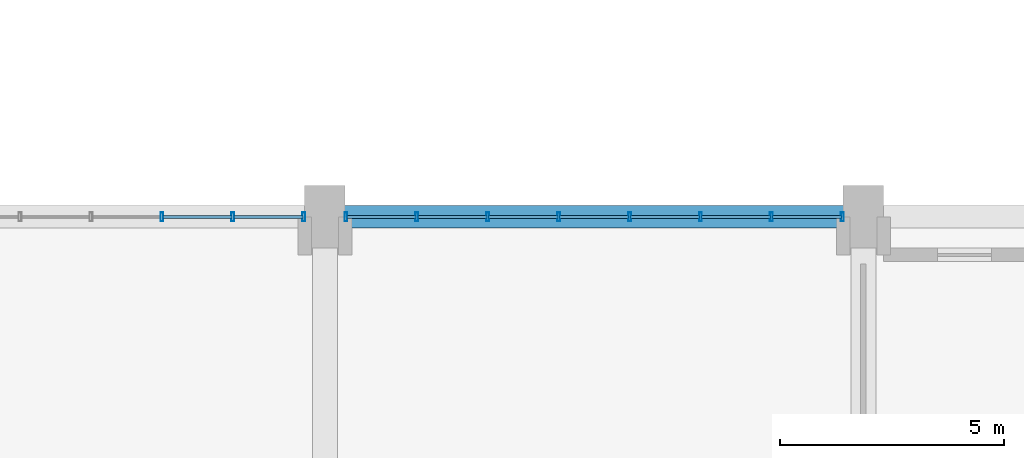
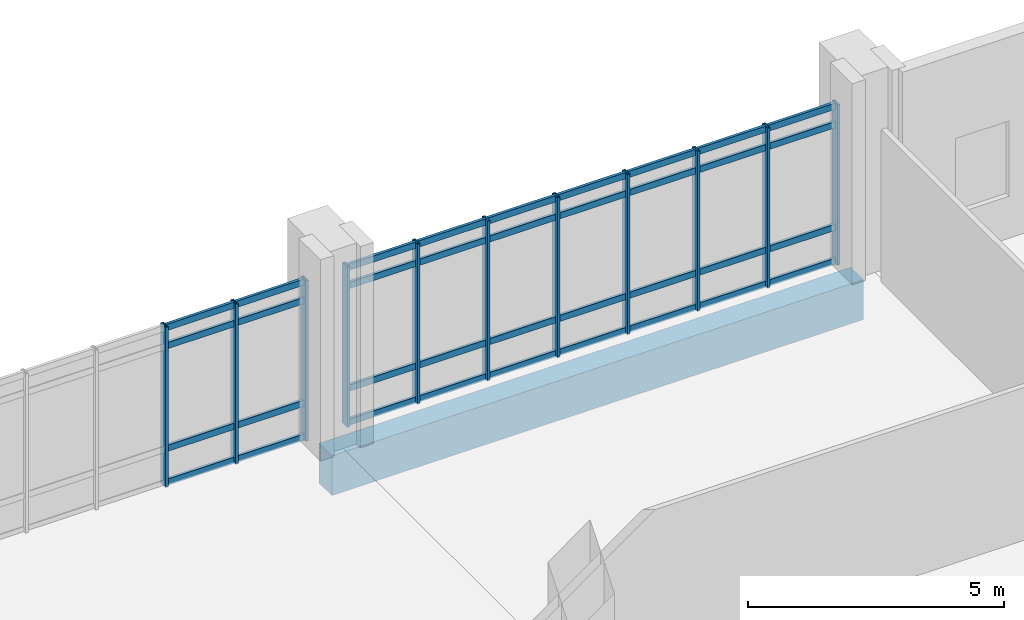
# One storey, part 18 of 87: 47 members, 1 beam, 2 elements without a shape of their own.
"""IFC4 building model written with IfcOpenShell, lengths in metres."""

from ifc_helpers import new_model, si_unit, direction, frame, origin, origin_2d, place, context, subcontext, project, spatial, rectangle, hollow_rectangle, extrude, material, layer, layer_set, material_profile, profile_set, type_object, element, aggregate, save


model = new_model("IFC4")

# Units and contexts
model_context = context("Model", 3, precision=1e-05, world=origin(), true_north=direction((0.0, 1.0)))
body_context = subcontext(model_context, "Body", "Model", "MODEL_VIEW")
ifc_project = project(units=[si_unit("LENGTHUNIT", "METRE"), si_unit("AREAUNIT", "SQUARE_METRE"), si_unit("VOLUMEUNIT", "CUBIC_METRE"), si_unit("PLANEANGLEUNIT", "RADIAN"), si_unit("MASSUNIT", "GRAM", prefix="KILO")], contexts=[model_context])

# Site, building, storey
site_placement = place(None, origin())
site = spatial("IfcSite", under=ifc_project, at=site_placement, CompositionType="ELEMENT")
building_placement = place(site_placement, origin())
building = spatial("IfcBuilding", under=site, at=building_placement, Name="Mersad Railyard Sports Hall", CompositionType="ELEMENT")
storey_placement = place(building_placement, origin())
storey = spatial("IfcBuildingStorey", under=building, at=storey_placement, Name="L00", CompositionType="ELEMENT", Elevation=0.0)

# Curtain wall, members
ifc_material_1 = material(Name="Aluminium 6063-T6", Category="aluminium")
ifc_layer = layer(ifc_material_1, 0.199951171875)
ifc_layer_set = layer_set([ifc_layer], Name="Aluminium 6063-T6")
curtain_wall_type = type_object("IfcCurtainWallType", Name="ARC-CW-CW01", PredefinedType="USERDEFINED", material=ifc_layer_set)
curtain_wall_1_placement = place(storey_placement, origin())
curtain_wall_1 = element("IfcCurtainWall", 1, at=curtain_wall_1_placement, inside=storey, type_object=curtain_wall_type, Name="Curtain wall CW01-0009", ObjectType="CURTAIN WALL", PredefinedType="USERDEFINED")
ifc_material_profile_1 = material_profile(ifc_material_1, hollow_rectangle(XDim=0.06494140625, YDim=0.199951171875, WallThickness=0.0048828125, at=origin_2d()), Name="AL MULLION 65x200x5")
ifc_profile_set_1 = profile_set([ifc_material_profile_1], Name="Aluminium 6063-T6")
member_type_1 = type_object("IfcMemberType", Name="ARC-CW-MUL02", PredefinedType="MULLION", material=ifc_profile_set_1)
member_1_placement = place(storey_placement, frame((39.3701171875, 53.5, -0.02001953125), z_axis=(0.0, 0.0, 1.0), x_axis=(1.0, 0.0, 0.0)))
member_1 = element("IfcMember", 2, at=member_1_placement, type_object=member_type_1, Name="CW01 Mullion 6", PredefinedType="MULLION", context=body_context, shape_type="SweptSolid", body=[
    extrude(hollow_rectangle(XDim=0.06494140625, YDim=0.199951171875, WallThickness=0.0048828125, at=origin_2d()), origin(), (0.0, 0.0, 1.0), 3.820068359375),
])
member_2_placement = place(storey_placement, frame((40.949951171875, 53.5, -0.02001953125), z_axis=(0.0, 0.0, 1.0), x_axis=(1.0, 0.0, 0.0)))
member_2 = element("IfcMember", 3, at=member_2_placement, type_object=member_type_1, Name="CW01 Mullion 7", PredefinedType="MULLION", context=body_context, shape_type="SweptSolid", body=[
    extrude(hollow_rectangle(XDim=0.06494140625, YDim=0.199951171875, WallThickness=0.0048828125, at=origin_2d()), origin(), (0.0, 0.0, 1.0), 3.820068359375),
])
member_3_placement = place(storey_placement, frame((42.530029296875, 53.5, -0.02001953125), z_axis=(0.0, 0.0, 1.0), x_axis=(1.0, 0.0, 0.0)))
member_3 = element("IfcMember", 4, at=member_3_placement, type_object=member_type_1, Name="CW01 Mullion 8", PredefinedType="MULLION", context=body_context, shape_type="SweptSolid", body=[
    extrude(hollow_rectangle(XDim=0.06494140625, YDim=0.199951171875, WallThickness=0.0048828125, at=origin_2d()), origin(), (0.0, 0.0, 1.0), 3.820068359375),
])

curtain_wall_2_placement = place(storey_placement, origin())
curtain_wall_2 = element("IfcCurtainWall", 5, at=curtain_wall_2_placement, inside=storey, type_object=curtain_wall_type, Name="Curtain wall CW01-0012", ObjectType="CURTAIN WALL", PredefinedType="USERDEFINED")
member_4_placement = place(storey_placement, frame((43.469970703125, 53.5, -0.02001953125), z_axis=(0.0, 0.0, 1.0), x_axis=(1.0, 0.0, 0.0)))
member_4 = element("IfcMember", 6, at=member_4_placement, type_object=member_type_1, Name="CW01 Mullion 1", PredefinedType="MULLION", context=body_context, shape_type="SweptSolid", body=[
    extrude(hollow_rectangle(XDim=0.06494140625, YDim=0.199951171875, WallThickness=0.0048828125, at=origin_2d()), origin(), (0.0, 0.0, 1.0), 3.820068359375),
])
member_5_placement = place(storey_placement, frame((45.050048828125, 53.5, -0.02001953125), z_axis=(0.0, 0.0, 1.0), x_axis=(1.0, 0.0, 0.0)))
member_5 = element("IfcMember", 7, at=member_5_placement, type_object=member_type_1, Name="CW01 Mullion 2", PredefinedType="MULLION", context=body_context, shape_type="SweptSolid", body=[
    extrude(hollow_rectangle(XDim=0.06494140625, YDim=0.199951171875, WallThickness=0.0048828125, at=origin_2d()), origin(), (0.0, 0.0, 1.0), 3.820068359375),
])
member_6_placement = place(storey_placement, frame((46.6298828125, 53.5, -0.02001953125), z_axis=(0.0, 0.0, 1.0), x_axis=(1.0, 0.0, 0.0)))
member_6 = element("IfcMember", 8, at=member_6_placement, type_object=member_type_1, Name="CW01 Mullion 3", PredefinedType="MULLION", context=body_context, shape_type="SweptSolid", body=[
    extrude(hollow_rectangle(XDim=0.06494140625, YDim=0.199951171875, WallThickness=0.0048828125, at=origin_2d()), origin(), (0.0, 0.0, 1.0), 3.820068359375),
])
member_7_placement = place(storey_placement, frame((48.2099609375, 53.5, -0.02001953125), z_axis=(0.0, 0.0, 1.0), x_axis=(1.0, 0.0, 0.0)))
member_7 = element("IfcMember", 9, at=member_7_placement, type_object=member_type_1, Name="CW01 Mullion 4", PredefinedType="MULLION", context=body_context, shape_type="SweptSolid", body=[
    extrude(hollow_rectangle(XDim=0.06494140625, YDim=0.199951171875, WallThickness=0.0048828125, at=origin_2d()), origin(), (0.0, 0.0, 1.0), 3.820068359375),
])
member_8_placement = place(storey_placement, frame((49.7900390625, 53.5, -0.02001953125), z_axis=(0.0, 0.0, 1.0), x_axis=(1.0, 0.0, 0.0)))
member_8 = element("IfcMember", 10, at=member_8_placement, type_object=member_type_1, Name="CW01 Mullion 5", PredefinedType="MULLION", context=body_context, shape_type="SweptSolid", body=[
    extrude(hollow_rectangle(XDim=0.06494140625, YDim=0.199951171875, WallThickness=0.0048828125, at=origin_2d()), origin(), (0.0, 0.0, 1.0), 3.820068359375),
])
member_9_placement = place(storey_placement, frame((51.3701171875, 53.5, -0.02001953125), z_axis=(0.0, 0.0, 1.0), x_axis=(1.0, 0.0, 0.0)))
member_9 = element("IfcMember", 11, at=member_9_placement, type_object=member_type_1, Name="CW01 Mullion 6", PredefinedType="MULLION", context=body_context, shape_type="SweptSolid", body=[
    extrude(hollow_rectangle(XDim=0.06494140625, YDim=0.199951171875, WallThickness=0.0048828125, at=origin_2d()), origin(), (0.0, 0.0, 1.0), 3.820068359375),
])
member_10_placement = place(storey_placement, frame((52.949951171875, 53.5, -0.02001953125), z_axis=(0.0, 0.0, 1.0), x_axis=(1.0, 0.0, 0.0)))
member_10 = element("IfcMember", 12, at=member_10_placement, type_object=member_type_1, Name="CW01 Mullion 7", PredefinedType="MULLION", context=body_context, shape_type="SweptSolid", body=[
    extrude(hollow_rectangle(XDim=0.06494140625, YDim=0.199951171875, WallThickness=0.0048828125, at=origin_2d()), origin(), (0.0, 0.0, 1.0), 3.820068359375),
])
member_11_placement = place(storey_placement, frame((54.530029296875, 53.5, -0.02001953125), z_axis=(0.0, 0.0, 1.0), x_axis=(1.0, 0.0, 0.0)))
member_11 = element("IfcMember", 13, at=member_11_placement, type_object=member_type_1, Name="CW01 Mullion 8", PredefinedType="MULLION", context=body_context, shape_type="SweptSolid", body=[
    extrude(hollow_rectangle(XDim=0.06494140625, YDim=0.199951171875, WallThickness=0.0048828125, at=origin_2d()), origin(), (0.0, 0.0, 1.0), 3.820068359375),
])

# Member
ifc_material_profile_2 = material_profile(ifc_material_1, hollow_rectangle(XDim=0.06494140625, YDim=0.14990234375, WallThickness=0.00439453125, at=origin_2d()), Name="AL TRANSOM 65x150x4.5")
ifc_profile_set_2 = profile_set([ifc_material_profile_2], Name="Aluminium 6063-T6")
member_type_2 = type_object("IfcMemberType", Name="ARC-CW-TRN02", PredefinedType="USERDEFINED", material=ifc_profile_set_2)
member_12_placement = place(storey_placement, frame((39.389892578125, 53.5, 0.0400390625), z_axis=(1.0, 0.0, 0.0), x_axis=(0.0, 1.0, 0.0)))
member_12 = element("IfcMember", 14, at=member_12_placement, type_object=member_type_2, Name="CW01 Transom 1-6", ObjectType="TRANSOM", PredefinedType="USERDEFINED", context=body_context, shape_type="SweptSolid", body=[
    extrude(hollow_rectangle(XDim=0.06494140625, YDim=0.14990234375, WallThickness=0.00439453125, at=origin_2d()), origin(), (0.0, 0.0, 1.0), 1.5400390625),
])

member_13_placement = place(storey_placement, frame((40.969970703125, 53.5, 0.0400390625), z_axis=(1.0, 0.0, 0.0), x_axis=(0.0, 1.0, 0.0)))
member_13 = element("IfcMember", 15, at=member_13_placement, type_object=member_type_2, Name="CW01 Transom 1-7", ObjectType="TRANSOM", PredefinedType="USERDEFINED", context=body_context, shape_type="SweptSolid", body=[
    extrude(hollow_rectangle(XDim=0.06494140625, YDim=0.14990234375, WallThickness=0.00439453125, at=origin_2d()), origin(), (0.0, 0.0, 1.0), 1.5400390625),
])

member_14_placement = place(storey_placement, frame((39.389892578125, 53.5, 0.85009765625), z_axis=(1.0, 0.0, 0.0), x_axis=(0.0, 1.0, 0.0)))
member_14 = element("IfcMember", 16, at=member_14_placement, type_object=member_type_2, Name="CW01 Transom 2-6", ObjectType="TRANSOM", PredefinedType="USERDEFINED", context=body_context, shape_type="SweptSolid", body=[
    extrude(hollow_rectangle(XDim=0.06494140625, YDim=0.14990234375, WallThickness=0.00439453125, at=origin_2d()), origin(), (0.0, 0.0, 1.0), 1.5400390625),
])

member_15_placement = place(storey_placement, frame((40.969970703125, 53.5, 0.85009765625), z_axis=(1.0, 0.0, 0.0), x_axis=(0.0, 1.0, 0.0)))
member_15 = element("IfcMember", 17, at=member_15_placement, type_object=member_type_2, Name="CW01 Transom 2-7", ObjectType="TRANSOM", PredefinedType="USERDEFINED", context=body_context, shape_type="SweptSolid", body=[
    extrude(hollow_rectangle(XDim=0.06494140625, YDim=0.14990234375, WallThickness=0.00439453125, at=origin_2d()), origin(), (0.0, 0.0, 1.0), 1.5400390625),
])

member_16_placement = place(storey_placement, frame((39.389892578125, 53.5, 3.300048828125), z_axis=(1.0, 0.0, 0.0), x_axis=(0.0, 1.0, 0.0)))
member_16 = element("IfcMember", 18, at=member_16_placement, type_object=member_type_2, Name="CW01 Transom 3-6", ObjectType="TRANSOM", PredefinedType="USERDEFINED", context=body_context, shape_type="SweptSolid", body=[
    extrude(hollow_rectangle(XDim=0.06494140625, YDim=0.14990234375, WallThickness=0.00439453125, at=origin_2d()), origin(), (0.0, 0.0, 1.0), 1.5400390625),
])

member_17_placement = place(storey_placement, frame((40.969970703125, 53.5, 3.300048828125), z_axis=(1.0, 0.0, 0.0), x_axis=(0.0, 1.0, 0.0)))
member_17 = element("IfcMember", 19, at=member_17_placement, type_object=member_type_2, Name="CW01 Transom 3-7", ObjectType="TRANSOM", PredefinedType="USERDEFINED", context=body_context, shape_type="SweptSolid", body=[
    extrude(hollow_rectangle(XDim=0.06494140625, YDim=0.14990234375, WallThickness=0.00439453125, at=origin_2d()), origin(), (0.0, 0.0, 1.0), 1.5400390625),
])

member_18_placement = place(storey_placement, frame((39.389892578125, 53.5, 3.739990234375), z_axis=(1.0, 0.0, 0.0), x_axis=(0.0, 1.0, 0.0)))
member_18 = element("IfcMember", 20, at=member_18_placement, type_object=member_type_2, Name="CW01 Transom 4-6", ObjectType="TRANSOM", PredefinedType="USERDEFINED", context=body_context, shape_type="SweptSolid", body=[
    extrude(hollow_rectangle(XDim=0.06494140625, YDim=0.14990234375, WallThickness=0.00439453125, at=origin_2d()), origin(), (0.0, 0.0, 1.0), 1.5400390625),
])

member_19_placement = place(storey_placement, frame((40.969970703125, 53.5, 3.739990234375), z_axis=(1.0, 0.0, 0.0), x_axis=(0.0, 1.0, 0.0)))
member_19 = element("IfcMember", 21, at=member_19_placement, type_object=member_type_2, Name="CW01 Transom 4-7", ObjectType="TRANSOM", PredefinedType="USERDEFINED", context=body_context, shape_type="SweptSolid", body=[
    extrude(hollow_rectangle(XDim=0.06494140625, YDim=0.14990234375, WallThickness=0.00439453125, at=origin_2d()), origin(), (0.0, 0.0, 1.0), 1.5400390625),
])

aggregate(curtain_wall_1, [member_1, member_2, member_3, member_12, member_13, member_14, member_15, member_16, member_17, member_18, member_19])

member_20_placement = place(storey_placement, frame((43.489990234375, 53.5, 0.0400390625), z_axis=(1.0, 0.0, 0.0), x_axis=(0.0, 1.0, 0.0)))
member_20 = element("IfcMember", 22, at=member_20_placement, type_object=member_type_2, Name="CW01 Transom 1-1", ObjectType="TRANSOM", PredefinedType="USERDEFINED", context=body_context, shape_type="SweptSolid", body=[
    extrude(hollow_rectangle(XDim=0.06494140625, YDim=0.14990234375, WallThickness=0.00439453125, at=origin_2d()), origin(), (0.0, 0.0, 1.0), 1.5400390625),
])

member_21_placement = place(storey_placement, frame((45.070068359375, 53.5, 0.0400390625), z_axis=(1.0, 0.0, 0.0), x_axis=(0.0, 1.0, 0.0)))
member_21 = element("IfcMember", 23, at=member_21_placement, type_object=member_type_2, Name="CW01 Transom 1-2", ObjectType="TRANSOM", PredefinedType="USERDEFINED", context=body_context, shape_type="SweptSolid", body=[
    extrude(hollow_rectangle(XDim=0.06494140625, YDim=0.14990234375, WallThickness=0.00439453125, at=origin_2d()), origin(), (0.0, 0.0, 1.0), 1.5400390625),
])

member_22_placement = place(storey_placement, frame((46.64990234375, 53.5, 0.0400390625), z_axis=(1.0, 0.0, 0.0), x_axis=(0.0, 1.0, 0.0)))
member_22 = element("IfcMember", 24, at=member_22_placement, type_object=member_type_2, Name="CW01 Transom 1-3", ObjectType="TRANSOM", PredefinedType="USERDEFINED", context=body_context, shape_type="SweptSolid", body=[
    extrude(hollow_rectangle(XDim=0.06494140625, YDim=0.14990234375, WallThickness=0.00439453125, at=origin_2d()), origin(), (0.0, 0.0, 1.0), 1.5400390625),
])

member_23_placement = place(storey_placement, frame((48.22998046875, 53.5, 0.0400390625), z_axis=(1.0, 0.0, 0.0), x_axis=(0.0, 1.0, 0.0)))
member_23 = element("IfcMember", 25, at=member_23_placement, type_object=member_type_2, Name="CW01 Transom 1-4", ObjectType="TRANSOM", PredefinedType="USERDEFINED", context=body_context, shape_type="SweptSolid", body=[
    extrude(hollow_rectangle(XDim=0.06494140625, YDim=0.14990234375, WallThickness=0.00439453125, at=origin_2d()), origin(), (0.0, 0.0, 1.0), 1.5400390625),
])

member_24_placement = place(storey_placement, frame((49.81005859375, 53.5, 0.0400390625), z_axis=(1.0, 0.0, 0.0), x_axis=(0.0, 1.0, 0.0)))
member_24 = element("IfcMember", 26, at=member_24_placement, type_object=member_type_2, Name="CW01 Transom 1-5", ObjectType="TRANSOM", PredefinedType="USERDEFINED", context=body_context, shape_type="SweptSolid", body=[
    extrude(hollow_rectangle(XDim=0.06494140625, YDim=0.14990234375, WallThickness=0.00439453125, at=origin_2d()), origin(), (0.0, 0.0, 1.0), 1.5400390625),
])

member_25_placement = place(storey_placement, frame((51.389892578125, 53.5, 0.0400390625), z_axis=(1.0, 0.0, 0.0), x_axis=(0.0, 1.0, 0.0)))
member_25 = element("IfcMember", 27, at=member_25_placement, type_object=member_type_2, Name="CW01 Transom 1-6", ObjectType="TRANSOM", PredefinedType="USERDEFINED", context=body_context, shape_type="SweptSolid", body=[
    extrude(hollow_rectangle(XDim=0.06494140625, YDim=0.14990234375, WallThickness=0.00439453125, at=origin_2d()), origin(), (0.0, 0.0, 1.0), 1.5400390625),
])

member_26_placement = place(storey_placement, frame((52.969970703125, 53.5, 0.0400390625), z_axis=(1.0, 0.0, 0.0), x_axis=(0.0, 1.0, 0.0)))
member_26 = element("IfcMember", 28, at=member_26_placement, type_object=member_type_2, Name="CW01 Transom 1-7", ObjectType="TRANSOM", PredefinedType="USERDEFINED", context=body_context, shape_type="SweptSolid", body=[
    extrude(hollow_rectangle(XDim=0.06494140625, YDim=0.14990234375, WallThickness=0.00439453125, at=origin_2d()), origin(), (0.0, 0.0, 1.0), 1.5400390625),
])

member_27_placement = place(storey_placement, frame((43.489990234375, 53.5, 0.85009765625), z_axis=(1.0, 0.0, 0.0), x_axis=(0.0, 1.0, 0.0)))
member_27 = element("IfcMember", 29, at=member_27_placement, type_object=member_type_2, Name="CW01 Transom 2-1", ObjectType="TRANSOM", PredefinedType="USERDEFINED", context=body_context, shape_type="SweptSolid", body=[
    extrude(hollow_rectangle(XDim=0.06494140625, YDim=0.14990234375, WallThickness=0.00439453125, at=origin_2d()), origin(), (0.0, 0.0, 1.0), 1.5400390625),
])

member_28_placement = place(storey_placement, frame((45.070068359375, 53.5, 0.85009765625), z_axis=(1.0, 0.0, 0.0), x_axis=(0.0, 1.0, 0.0)))
member_28 = element("IfcMember", 30, at=member_28_placement, type_object=member_type_2, Name="CW01 Transom 2-2", ObjectType="TRANSOM", PredefinedType="USERDEFINED", context=body_context, shape_type="SweptSolid", body=[
    extrude(hollow_rectangle(XDim=0.06494140625, YDim=0.14990234375, WallThickness=0.00439453125, at=origin_2d()), origin(), (0.0, 0.0, 1.0), 1.5400390625),
])

member_29_placement = place(storey_placement, frame((46.64990234375, 53.5, 0.85009765625), z_axis=(1.0, 0.0, 0.0), x_axis=(0.0, 1.0, 0.0)))
member_29 = element("IfcMember", 31, at=member_29_placement, type_object=member_type_2, Name="CW01 Transom 2-3", ObjectType="TRANSOM", PredefinedType="USERDEFINED", context=body_context, shape_type="SweptSolid", body=[
    extrude(hollow_rectangle(XDim=0.06494140625, YDim=0.14990234375, WallThickness=0.00439453125, at=origin_2d()), origin(), (0.0, 0.0, 1.0), 1.5400390625),
])

member_30_placement = place(storey_placement, frame((48.22998046875, 53.5, 0.85009765625), z_axis=(1.0, 0.0, 0.0), x_axis=(0.0, 1.0, 0.0)))
member_30 = element("IfcMember", 32, at=member_30_placement, type_object=member_type_2, Name="CW01 Transom 2-4", ObjectType="TRANSOM", PredefinedType="USERDEFINED", context=body_context, shape_type="SweptSolid", body=[
    extrude(hollow_rectangle(XDim=0.06494140625, YDim=0.14990234375, WallThickness=0.00439453125, at=origin_2d()), origin(), (0.0, 0.0, 1.0), 1.5400390625),
])

member_31_placement = place(storey_placement, frame((49.81005859375, 53.5, 0.85009765625), z_axis=(1.0, 0.0, 0.0), x_axis=(0.0, 1.0, 0.0)))
member_31 = element("IfcMember", 33, at=member_31_placement, type_object=member_type_2, Name="CW01 Transom 2-5", ObjectType="TRANSOM", PredefinedType="USERDEFINED", context=body_context, shape_type="SweptSolid", body=[
    extrude(hollow_rectangle(XDim=0.06494140625, YDim=0.14990234375, WallThickness=0.00439453125, at=origin_2d()), origin(), (0.0, 0.0, 1.0), 1.5400390625),
])

member_32_placement = place(storey_placement, frame((51.389892578125, 53.5, 0.85009765625), z_axis=(1.0, 0.0, 0.0), x_axis=(0.0, 1.0, 0.0)))
member_32 = element("IfcMember", 34, at=member_32_placement, type_object=member_type_2, Name="CW01 Transom 2-6", ObjectType="TRANSOM", PredefinedType="USERDEFINED", context=body_context, shape_type="SweptSolid", body=[
    extrude(hollow_rectangle(XDim=0.06494140625, YDim=0.14990234375, WallThickness=0.00439453125, at=origin_2d()), origin(), (0.0, 0.0, 1.0), 1.5400390625),
])

member_33_placement = place(storey_placement, frame((52.969970703125, 53.5, 0.85009765625), z_axis=(1.0, 0.0, 0.0), x_axis=(0.0, 1.0, 0.0)))
member_33 = element("IfcMember", 35, at=member_33_placement, type_object=member_type_2, Name="CW01 Transom 2-7", ObjectType="TRANSOM", PredefinedType="USERDEFINED", context=body_context, shape_type="SweptSolid", body=[
    extrude(hollow_rectangle(XDim=0.06494140625, YDim=0.14990234375, WallThickness=0.00439453125, at=origin_2d()), origin(), (0.0, 0.0, 1.0), 1.5400390625),
])

member_34_placement = place(storey_placement, frame((43.489990234375, 53.5, 3.300048828125), z_axis=(1.0, 0.0, 0.0), x_axis=(0.0, 1.0, 0.0)))
member_34 = element("IfcMember", 36, at=member_34_placement, type_object=member_type_2, Name="CW01 Transom 3-1", ObjectType="TRANSOM", PredefinedType="USERDEFINED", context=body_context, shape_type="SweptSolid", body=[
    extrude(hollow_rectangle(XDim=0.06494140625, YDim=0.14990234375, WallThickness=0.00439453125, at=origin_2d()), origin(), (0.0, 0.0, 1.0), 1.5400390625),
])

member_35_placement = place(storey_placement, frame((45.070068359375, 53.5, 3.300048828125), z_axis=(1.0, 0.0, 0.0), x_axis=(0.0, 1.0, 0.0)))
member_35 = element("IfcMember", 37, at=member_35_placement, type_object=member_type_2, Name="CW01 Transom 3-2", ObjectType="TRANSOM", PredefinedType="USERDEFINED", context=body_context, shape_type="SweptSolid", body=[
    extrude(hollow_rectangle(XDim=0.06494140625, YDim=0.14990234375, WallThickness=0.00439453125, at=origin_2d()), origin(), (0.0, 0.0, 1.0), 1.5400390625),
])

member_36_placement = place(storey_placement, frame((46.64990234375, 53.5, 3.300048828125), z_axis=(1.0, 0.0, 0.0), x_axis=(0.0, 1.0, 0.0)))
member_36 = element("IfcMember", 38, at=member_36_placement, type_object=member_type_2, Name="CW01 Transom 3-3", ObjectType="TRANSOM", PredefinedType="USERDEFINED", context=body_context, shape_type="SweptSolid", body=[
    extrude(hollow_rectangle(XDim=0.06494140625, YDim=0.14990234375, WallThickness=0.00439453125, at=origin_2d()), origin(), (0.0, 0.0, 1.0), 1.5400390625),
])

member_37_placement = place(storey_placement, frame((48.22998046875, 53.5, 3.300048828125), z_axis=(1.0, 0.0, 0.0), x_axis=(0.0, 1.0, 0.0)))
member_37 = element("IfcMember", 39, at=member_37_placement, type_object=member_type_2, Name="CW01 Transom 3-4", ObjectType="TRANSOM", PredefinedType="USERDEFINED", context=body_context, shape_type="SweptSolid", body=[
    extrude(hollow_rectangle(XDim=0.06494140625, YDim=0.14990234375, WallThickness=0.00439453125, at=origin_2d()), origin(), (0.0, 0.0, 1.0), 1.5400390625),
])

member_38_placement = place(storey_placement, frame((49.81005859375, 53.5, 3.300048828125), z_axis=(1.0, 0.0, 0.0), x_axis=(0.0, 1.0, 0.0)))
member_38 = element("IfcMember", 40, at=member_38_placement, type_object=member_type_2, Name="CW01 Transom 3-5", ObjectType="TRANSOM", PredefinedType="USERDEFINED", context=body_context, shape_type="SweptSolid", body=[
    extrude(hollow_rectangle(XDim=0.06494140625, YDim=0.14990234375, WallThickness=0.00439453125, at=origin_2d()), origin(), (0.0, 0.0, 1.0), 1.5400390625),
])

member_39_placement = place(storey_placement, frame((51.389892578125, 53.5, 3.300048828125), z_axis=(1.0, 0.0, 0.0), x_axis=(0.0, 1.0, 0.0)))
member_39 = element("IfcMember", 41, at=member_39_placement, type_object=member_type_2, Name="CW01 Transom 3-6", ObjectType="TRANSOM", PredefinedType="USERDEFINED", context=body_context, shape_type="SweptSolid", body=[
    extrude(hollow_rectangle(XDim=0.06494140625, YDim=0.14990234375, WallThickness=0.00439453125, at=origin_2d()), origin(), (0.0, 0.0, 1.0), 1.5400390625),
])

member_40_placement = place(storey_placement, frame((52.969970703125, 53.5, 3.300048828125), z_axis=(1.0, 0.0, 0.0), x_axis=(0.0, 1.0, 0.0)))
member_40 = element("IfcMember", 42, at=member_40_placement, type_object=member_type_2, Name="CW01 Transom 3-7", ObjectType="TRANSOM", PredefinedType="USERDEFINED", context=body_context, shape_type="SweptSolid", body=[
    extrude(hollow_rectangle(XDim=0.06494140625, YDim=0.14990234375, WallThickness=0.00439453125, at=origin_2d()), origin(), (0.0, 0.0, 1.0), 1.5400390625),
])

member_41_placement = place(storey_placement, frame((43.489990234375, 53.5, 3.739990234375), z_axis=(1.0, 0.0, 0.0), x_axis=(0.0, 1.0, 0.0)))
member_41 = element("IfcMember", 43, at=member_41_placement, type_object=member_type_2, Name="CW01 Transom 4-1", ObjectType="TRANSOM", PredefinedType="USERDEFINED", context=body_context, shape_type="SweptSolid", body=[
    extrude(hollow_rectangle(XDim=0.06494140625, YDim=0.14990234375, WallThickness=0.00439453125, at=origin_2d()), origin(), (0.0, 0.0, 1.0), 1.5400390625),
])

member_42_placement = place(storey_placement, frame((45.070068359375, 53.5, 3.739990234375), z_axis=(1.0, 0.0, 0.0), x_axis=(0.0, 1.0, 0.0)))
member_42 = element("IfcMember", 44, at=member_42_placement, type_object=member_type_2, Name="CW01 Transom 4-2", ObjectType="TRANSOM", PredefinedType="USERDEFINED", context=body_context, shape_type="SweptSolid", body=[
    extrude(hollow_rectangle(XDim=0.06494140625, YDim=0.14990234375, WallThickness=0.00439453125, at=origin_2d()), origin(), (0.0, 0.0, 1.0), 1.5400390625),
])

member_43_placement = place(storey_placement, frame((46.64990234375, 53.5, 3.739990234375), z_axis=(1.0, 0.0, 0.0), x_axis=(0.0, 1.0, 0.0)))
member_43 = element("IfcMember", 45, at=member_43_placement, type_object=member_type_2, Name="CW01 Transom 4-3", ObjectType="TRANSOM", PredefinedType="USERDEFINED", context=body_context, shape_type="SweptSolid", body=[
    extrude(hollow_rectangle(XDim=0.06494140625, YDim=0.14990234375, WallThickness=0.00439453125, at=origin_2d()), origin(), (0.0, 0.0, 1.0), 1.5400390625),
])

member_44_placement = place(storey_placement, frame((48.22998046875, 53.5, 3.739990234375), z_axis=(1.0, 0.0, 0.0), x_axis=(0.0, 1.0, 0.0)))
member_44 = element("IfcMember", 46, at=member_44_placement, type_object=member_type_2, Name="CW01 Transom 4-4", ObjectType="TRANSOM", PredefinedType="USERDEFINED", context=body_context, shape_type="SweptSolid", body=[
    extrude(hollow_rectangle(XDim=0.06494140625, YDim=0.14990234375, WallThickness=0.00439453125, at=origin_2d()), origin(), (0.0, 0.0, 1.0), 1.5400390625),
])

member_45_placement = place(storey_placement, frame((49.81005859375, 53.5, 3.739990234375), z_axis=(1.0, 0.0, 0.0), x_axis=(0.0, 1.0, 0.0)))
member_45 = element("IfcMember", 47, at=member_45_placement, type_object=member_type_2, Name="CW01 Transom 4-5", ObjectType="TRANSOM", PredefinedType="USERDEFINED", context=body_context, shape_type="SweptSolid", body=[
    extrude(hollow_rectangle(XDim=0.06494140625, YDim=0.14990234375, WallThickness=0.00439453125, at=origin_2d()), origin(), (0.0, 0.0, 1.0), 1.5400390625),
])

member_46_placement = place(storey_placement, frame((51.389892578125, 53.5, 3.739990234375), z_axis=(1.0, 0.0, 0.0), x_axis=(0.0, 1.0, 0.0)))
member_46 = element("IfcMember", 48, at=member_46_placement, type_object=member_type_2, Name="CW01 Transom 4-6", ObjectType="TRANSOM", PredefinedType="USERDEFINED", context=body_context, shape_type="SweptSolid", body=[
    extrude(hollow_rectangle(XDim=0.06494140625, YDim=0.14990234375, WallThickness=0.00439453125, at=origin_2d()), origin(), (0.0, 0.0, 1.0), 1.5400390625),
])

member_47_placement = place(storey_placement, frame((52.969970703125, 53.5, 3.739990234375), z_axis=(1.0, 0.0, 0.0), x_axis=(0.0, 1.0, 0.0)))
member_47 = element("IfcMember", 49, at=member_47_placement, type_object=member_type_2, Name="CW01 Transom 4-7", ObjectType="TRANSOM", PredefinedType="USERDEFINED", context=body_context, shape_type="SweptSolid", body=[
    extrude(hollow_rectangle(XDim=0.06494140625, YDim=0.14990234375, WallThickness=0.00439453125, at=origin_2d()), origin(), (0.0, 0.0, 1.0), 1.5400390625),
])

aggregate(curtain_wall_2, [member_4, member_5, member_6, member_7, member_8, member_9, member_10, member_11, member_20, member_21, member_22, member_23, member_24, member_25, member_26, member_27, member_28, member_29, member_30, member_31, member_32, member_33, member_34, member_35, member_36, member_37, member_38, member_39, member_40, member_41, member_42, member_43, member_44, member_45, member_46, member_47])

# Beam
ifc_material_2 = material(Name="Concrete C50/60", Category="concrete")
ifc_material_profile_3 = material_profile(ifc_material_2, rectangle(XDim=0.5, YDim=0.949951171875, at=origin_2d()), Name="RC 500x950")
ifc_profile_set_3 = profile_set([ifc_material_profile_3], Name="Concrete C50/60")
beam_type = type_object("IfcBeamType", Name="STR-BM-B03", PredefinedType="BEAM", material=ifc_profile_set_3)
beam_placement = place(storey_placement, frame((43.0, 53.5, -0.925048828125), z_axis=(1.0, 0.0, 0.0), x_axis=(0.0, 1.0, 0.0)))
element("IfcBeam", 50, at=beam_placement, inside=storey, type_object=beam_type, Name="Beam B03-0025", PredefinedType="BEAM", context=body_context, shape_type="SweptSolid", body=[
    extrude(rectangle(XDim=0.5, YDim=0.949951171875, at=origin_2d()), origin(), (0.0, 0.0, 1.0), 12.0),
])

save(model, "model.ifc")
